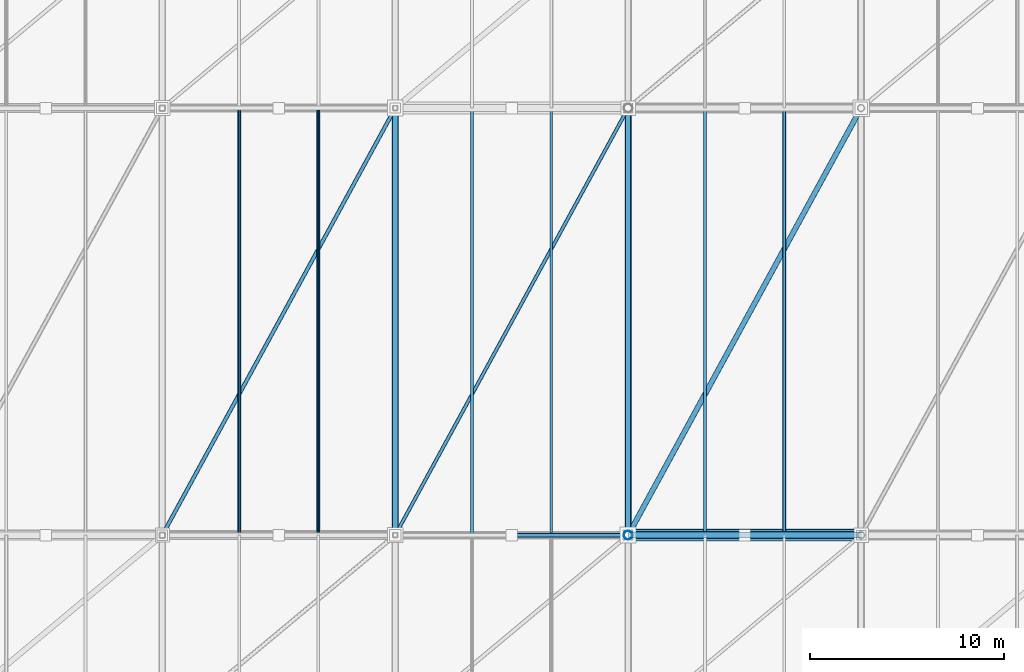
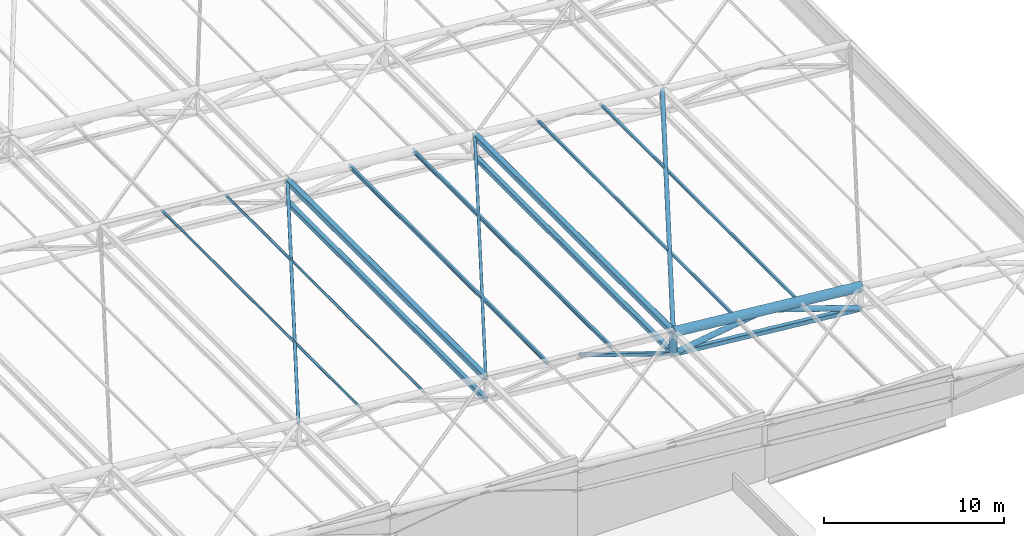
# One storey, part 19 of 44: 19 members.
"""IFC4 building model written with IfcOpenShell, lengths in metres."""

from ifc_helpers import new_model, si_unit, direction, frame, origin, origin_2d, place, context, subcontext, project, spatial, hollow_rectangle, hollow_circle, i_section, extrude, material, material_profile, profile_set, type_object, element, save


model = new_model("IFC4")

# Units and contexts
model_context = context("Model", 3, precision=1e-05, world=origin(), true_north=direction((0.0, 1.0)))
body_context = subcontext(model_context, "Body", "Model", "MODEL_VIEW")
ifc_project = project(units=[si_unit("LENGTHUNIT", "METRE"), si_unit("AREAUNIT", "SQUARE_METRE"), si_unit("VOLUMEUNIT", "CUBIC_METRE"), si_unit("PLANEANGLEUNIT", "RADIAN"), si_unit("MASSUNIT", "GRAM", prefix="KILO")], contexts=[model_context])

# Site, building, storey
site_placement = place(None, origin())
site = spatial("IfcSite", under=ifc_project, at=site_placement, CompositionType="ELEMENT")
building_placement = place(site_placement, origin())
building = spatial("IfcBuilding", under=site, at=building_placement, Name="Brinegate Civic Arena", CompositionType="ELEMENT")
storey_placement = place(building_placement, frame((0.0, 0.0, 29.39990234375)))
storey = spatial("IfcBuildingStorey", under=building, at=storey_placement, Name="RF", CompositionType="ELEMENT", Elevation=29.39990234375)

# Members
ifc_material = material(Name="Steel S355", Category="steel")
ifc_material_profile_1 = material_profile(ifc_material, hollow_circle(Radius=0.083984375, WallThickness=0.008056640625, at=origin_2d()), Name="CHS168X8")
ifc_profile_set_1 = profile_set([ifc_material_profile_1], Name="Steel S355")
member_type_1 = type_object("IfcMemberType", Name="RF-PURLIN-CHS168", PredefinedType="PURLIN", material=ifc_profile_set_1)
for number, where, z_axis, x_axis, name in (
    (1, (111.9599609375, 20.0, 5.710205078125), (0.0, 1.0, 0.0), (-1.0, 0.0, 0.0), "Roof Purlin RFP-029"),
    (2, (116.0400390625, 20.0, 5.3271484375), (0.0, 1.0, 0.0), (-1.0, 0.0, 0.0), "Roof Purlin RFP-030"),
):
    element("IfcMember", number, at=place(storey_placement, frame(where, z_axis=z_axis, x_axis=x_axis)), inside=storey, type_object=member_type_1, Name=name, PredefinedType="PURLIN", context=body_context, shape_type="SweptSolid", body=[
        extrude(hollow_circle(Radius=0.083984375, WallThickness=0.008056640625, at=origin_2d()), origin(), (0.0, 0.0, 1.0), 22.0),
    ])
ifc_material_profile_2 = material_profile(ifc_material, hollow_rectangle(XDim=0.159912109375, YDim=0.159912109375, WallThickness=0.008056640625, InnerFilletRadius=0.008056640625, OuterFilletRadius=0.01611328125, at=origin_2d()), Name="SHS160X8")
ifc_profile_set_2 = profile_set([ifc_material_profile_2], Name="Steel S355")
member_type_2 = type_object("IfcMemberType", Name="RF-PURLIN-SHS160", PredefinedType="PURLIN", material=ifc_profile_set_2)
for number, where, z_axis, x_axis, name in (
    (3, (135.9599609375, 20.0, 3.464111328125), (0.0, 1.0, 0.0), (-1.0, 0.0, 0.0), "Roof Purlin RFP-033"),
    (4, (140.0400390625, 20.0, 3.0810546875), (0.0, 1.0, 0.0), (-1.0, 0.0, 0.0), "Roof Purlin RFP-034"),
):
    element("IfcMember", number, at=place(storey_placement, frame(where, z_axis=z_axis, x_axis=x_axis)), inside=storey, type_object=member_type_2, Name=name, PredefinedType="PURLIN", context=body_context, shape_type="SweptSolid", body=[
        extrude(hollow_rectangle(XDim=0.159912109375, YDim=0.159912109375, WallThickness=0.008056640625, InnerFilletRadius=0.008056640625, OuterFilletRadius=0.01611328125, at=origin_2d()), origin(), (0.0, 0.0, 1.0), 22.0),
    ])
ifc_material_profile_3 = material_profile(ifc_material, i_section(OverallWidth=0.14794921875, OverallDepth=0.26611328125, WebThickness=0.008056640625, FlangeThickness=0.012939453125, FilletRadius=0.011962890625, at=origin_2d()), Name="W250X45")
ifc_profile_set_3 = profile_set([ifc_material_profile_3], Name="Steel S355")
member_type_3 = type_object("IfcMemberType", Name="RF-PURLIN-W250", PredefinedType="PURLIN", material=ifc_profile_set_3)
for number, where, z_axis, x_axis, name in (
    (5, (123.9599609375, 20.0, 4.5361328125), (0.0, 1.0, 0.0), (-1.0, 0.0, 0.0), "Roof Purlin RFP-031"),
    (6, (128.0400390625, 20.0, 4.153076171875), (0.0, 1.0, 0.0), (-1.0, 0.0, 0.0), "Roof Purlin RFP-032"),
):
    element("IfcMember", number, at=place(storey_placement, frame(where, z_axis=z_axis, x_axis=x_axis)), inside=storey, type_object=member_type_3, Name=name, PredefinedType="PURLIN", context=body_context, shape_type="SweptSolid", body=[
        extrude(i_section(OverallWidth=0.14794921875, OverallDepth=0.26611328125, WebThickness=0.008056640625, FlangeThickness=0.012939453125, FilletRadius=0.011962890625, at=origin_2d()), origin(), (0.0, 0.0, 1.0), 22.0),
    ])
ifc_material_profile_4 = material_profile(ifc_material, hollow_circle(Radius=0.136474609375, WallThickness=0.011962890625, at=origin_2d()), Name="CHS273X12")
ifc_profile_set_4 = profile_set([ifc_material_profile_4], Name="Steel S355")
member_type_4 = type_object("IfcMemberType", Name="SF-BRACE-CHS273", PredefinedType="BRACE", material=ifc_profile_set_4)
member_1_placement = place(storey_placement, frame((132.0, 20.0, 3.800048828125), z_axis=(0.478370337109, 0.877012284699, -0.044847219104), x_axis=(-0.877895572914, 0.478852130681, 0.0)))
element("IfcMember", 7, at=member_1_placement, inside=storey, type_object=member_type_4, Name="Roof Plan Diagonal Brace PL-2-8", PredefinedType="BRACE", context=body_context, shape_type="SweptSolid", body=[
    extrude(hollow_circle(Radius=0.136474609375, WallThickness=0.011962890625, at=origin_2d()), origin(), (0.0, 0.0, 1.0), 25.085205078125),
])
ifc_material_profile_5 = material_profile(ifc_material, hollow_circle(Radius=0.177978515625, WallThickness=0.013916015625, at=origin_2d()), Name="CHS356X14")
ifc_profile_set_5 = profile_set([ifc_material_profile_5], Name="Steel S355")
member_type_5 = type_object("IfcMemberType", Name="SF-BRACE-CHS356", PredefinedType="BRACE", material=ifc_profile_set_5)
member_2_placement = place(storey_placement, frame((132.0, 20.0, 2.35009765625), z_axis=(0.989226142737, 0.0, 0.1463954867), x_axis=(0.0, 1.0, 0.0)))
element("IfcMember", 8, at=member_2_placement, inside=storey, type_object=member_type_5, Name="Space Frame Web Brace D1-2-8", PredefinedType="BRACE", context=body_context, shape_type="SweptSolid", body=[
    extrude(hollow_circle(Radius=0.177978515625, WallThickness=0.013916015625, at=origin_2d()), origin(), (0.0, 0.0, 1.0), 6.0654296875),
])
member_3_placement = place(storey_placement, frame((138.0, 20.0, 3.238037109375), z_axis=(0.948068139281, 0.0, -0.318067293635), x_axis=(0.0, 1.0, 0.0)))
element("IfcMember", 9, at=member_3_placement, inside=storey, type_object=member_type_5, Name="Space Frame Web Brace D2-2-8", PredefinedType="BRACE", context=body_context, shape_type="SweptSolid", body=[
    extrude(hollow_circle(Radius=0.177978515625, WallThickness=0.013916015625, at=origin_2d()), origin(), (0.0, 0.0, 1.0), 6.32861328125),
])
ifc_material_profile_6 = material_profile(ifc_material, hollow_rectangle(XDim=0.179931640625, YDim=0.179931640625, WallThickness=0.010009765625, InnerFilletRadius=0.010009765625, OuterFilletRadius=0.02001953125, at=origin_2d()), Name="SHS180X10")
ifc_profile_set_6 = profile_set([ifc_material_profile_6], Name="Steel S355")
member_type_6 = type_object("IfcMemberType", Name="SF-BRACE-SHS180", PredefinedType="BRACE", material=ifc_profile_set_6)
member_4_placement = place(storey_placement, frame((120.0, 20.0, 4.925048828125), z_axis=(0.478370337109, 0.877012284699, -0.044847219104), x_axis=(-0.877895572914, 0.478852130681, 0.0)))
element("IfcMember", 10, at=member_4_placement, inside=storey, type_object=member_type_6, Name="Roof Plan Diagonal Brace PL-2-7", PredefinedType="BRACE", context=body_context, shape_type="SweptSolid", body=[
    extrude(hollow_rectangle(XDim=0.179931640625, YDim=0.179931640625, WallThickness=0.010009765625, InnerFilletRadius=0.010009765625, OuterFilletRadius=0.02001953125, at=origin_2d()), origin(), (0.0, 0.0, 1.0), 25.085205078125),
])
ifc_material_profile_7 = material_profile(ifc_material, hollow_rectangle(XDim=0.199951171875, YDim=0.199951171875, WallThickness=0.010009765625, InnerFilletRadius=0.010009765625, OuterFilletRadius=0.02001953125, at=origin_2d()), Name="SHS200X10")
ifc_profile_set_7 = profile_set([ifc_material_profile_7], Name="Steel S355")
member_type_7 = type_object("IfcMemberType", Name="SF-BRACE-SHS200", PredefinedType="BRACE", material=ifc_profile_set_7)
member_5_placement = place(storey_placement, frame((108.0, 20.0, 6.050048828125), z_axis=(0.478370337109, 0.877012284699, -0.044847219104), x_axis=(-0.877895572914, 0.478852130681, 0.0)))
element("IfcMember", 11, at=member_5_placement, inside=storey, type_object=member_type_7, Name="Roof Plan Diagonal Brace PL-2-6", PredefinedType="BRACE", context=body_context, shape_type="SweptSolid", body=[
    extrude(hollow_rectangle(XDim=0.199951171875, YDim=0.199951171875, WallThickness=0.010009765625, InnerFilletRadius=0.010009765625, OuterFilletRadius=0.02001953125, at=origin_2d()), origin(), (0.0, 0.0, 1.0), 25.085205078125),
])
ifc_material_profile_8 = material_profile(ifc_material, hollow_rectangle(XDim=0.219970703125, YDim=0.219970703125, WallThickness=0.011962890625, InnerFilletRadius=0.011962890625, OuterFilletRadius=0.02392578125, at=origin_2d()), Name="SHS220X12")
ifc_profile_set_8 = profile_set([ifc_material_profile_8], Name="Steel S355")
member_type_8 = type_object("IfcMemberType", Name="SF-BRACE-SHS220", PredefinedType="BRACE", material=ifc_profile_set_8)
member_6_placement = place(storey_placement, frame((126.0, 20.0, 4.363037109375), z_axis=(0.948068139281, 0.0, -0.318067293635), x_axis=(0.0, 1.0, 0.0)))
element("IfcMember", 12, at=member_6_placement, inside=storey, type_object=member_type_8, Name="Space Frame Web Brace D2-2-7", PredefinedType="BRACE", context=body_context, shape_type="SweptSolid", body=[
    extrude(hollow_rectangle(XDim=0.219970703125, YDim=0.219970703125, WallThickness=0.011962890625, InnerFilletRadius=0.011962890625, OuterFilletRadius=0.02392578125, at=origin_2d()), origin(), (0.0, 0.0, 1.0), 6.32861328125),
])
ifc_material_profile_9 = material_profile(ifc_material, hollow_circle(Radius=0.304931640625, WallThickness=0.02490234375, at=origin_2d()), Name="CHS610X25")
ifc_profile_set_9 = profile_set([ifc_material_profile_9], Name="Steel S355")
member_type_9 = type_object("IfcMemberType", Name="SF-CHORD-CHS610", PredefinedType="CHORD", material=ifc_profile_set_9)
member_7_placement = place(storey_placement, frame((132.0, 20.0, 3.800048828125), z_axis=(0.995634226059, 0.0, -0.093340708693), x_axis=(0.0, 1.0, 0.0)))
element("IfcMember", 13, at=member_7_placement, inside=storey, type_object=member_type_9, Name="Space Frame Top Chord TX-2-8", PredefinedType="CHORD", context=body_context, shape_type="SweptSolid", body=[
    extrude(hollow_circle(Radius=0.304931640625, WallThickness=0.02490234375, at=origin_2d()), origin(), (0.0, 0.0, 1.0), 12.052734375),
])
ifc_material_profile_10 = material_profile(ifc_material, hollow_rectangle(XDim=0.300048828125, YDim=0.300048828125, WallThickness=0.01611328125, InnerFilletRadius=0.01611328125, OuterFilletRadius=0.031982421875, at=origin_2d()), Name="SHS300X16")
ifc_profile_set_10 = profile_set([ifc_material_profile_10], Name="Steel S355")
member_type_10 = type_object("IfcMemberType", Name="SF-CHORD-SHS300", PredefinedType="CHORD", material=ifc_profile_set_10)
member_8_placement = place(storey_placement, frame((132.0, 20.0, 2.35009765625), z_axis=(0.995634226059, 0.0, -0.093340708693), x_axis=(0.0, 1.0, 0.0)))
element("IfcMember", 14, at=member_8_placement, inside=storey, type_object=member_type_10, Name="Space Frame Bottom Chord BX-2-8", PredefinedType="CHORD", context=body_context, shape_type="SweptSolid", body=[
    extrude(hollow_rectangle(XDim=0.300048828125, YDim=0.300048828125, WallThickness=0.01611328125, InnerFilletRadius=0.01611328125, OuterFilletRadius=0.031982421875, at=origin_2d()), origin(), (0.0, 0.0, 1.0), 12.052734375),
])
for number, where, z_axis, x_axis, name in (
    (15, (120.0, 20.0, 3.47509765625), (0.0, 1.0, 0.0), (-1.0, 0.0, 0.0), "Space Frame Cross Bottom Chord BY-2-7"),
    (16, (132.0, 20.0, 2.35009765625), (0.0, 1.0, 0.0), (-1.0, 0.0, 0.0), "Space Frame Cross Bottom Chord BY-2-8"),
):
    element("IfcMember", number, at=place(storey_placement, frame(where, z_axis=z_axis, x_axis=x_axis)), inside=storey, type_object=member_type_10, Name=name, PredefinedType="CHORD", context=body_context, shape_type="SweptSolid", body=[
        extrude(hollow_rectangle(XDim=0.300048828125, YDim=0.300048828125, WallThickness=0.01611328125, InnerFilletRadius=0.01611328125, OuterFilletRadius=0.031982421875, at=origin_2d()), origin(), (0.0, 0.0, 1.0), 22.0),
    ])
ifc_material_profile_11 = material_profile(ifc_material, hollow_rectangle(XDim=0.35009765625, YDim=0.35009765625, WallThickness=0.01611328125, InnerFilletRadius=0.01611328125, OuterFilletRadius=0.031982421875, at=origin_2d()), Name="SHS350X16")
ifc_profile_set_11 = profile_set([ifc_material_profile_11], Name="Steel S355")
member_type_11 = type_object("IfcMemberType", Name="SF-CHORD-SHS350", PredefinedType="CHORD", material=ifc_profile_set_11)
for number, where, z_axis, x_axis, name in (
    (17, (120.0, 20.0, 4.925048828125), (0.0, 1.0, 0.0), (-1.0, 0.0, 0.0), "Space Frame Cross Top Chord TY-2-7"),
    (18, (132.0, 20.0, 3.800048828125), (0.0, 1.0, 0.0), (-1.0, 0.0, 0.0), "Space Frame Cross Top Chord TY-2-8"),
):
    element("IfcMember", number, at=place(storey_placement, frame(where, z_axis=z_axis, x_axis=x_axis)), inside=storey, type_object=member_type_11, Name=name, PredefinedType="CHORD", context=body_context, shape_type="SweptSolid", body=[
        extrude(hollow_rectangle(XDim=0.35009765625, YDim=0.35009765625, WallThickness=0.01611328125, InnerFilletRadius=0.01611328125, OuterFilletRadius=0.031982421875, at=origin_2d()), origin(), (0.0, 0.0, 1.0), 22.0),
    ])
ifc_material_profile_12 = material_profile(ifc_material, hollow_circle(Radius=0.228515625, WallThickness=0.01611328125, at=origin_2d()), Name="CHS457X16")
ifc_profile_set_12 = profile_set([ifc_material_profile_12], Name="Steel S355")
member_type_12 = type_object("IfcMemberType", Name="SF-STRUT-CHS457", PredefinedType="STRUT", material=ifc_profile_set_12)
member_9_placement = place(storey_placement, frame((132.0, 20.0, 2.35009765625), z_axis=(0.0, 0.0, 1.0), x_axis=(1.0, 0.0, 0.0)))
element("IfcMember", 19, at=member_9_placement, inside=storey, type_object=member_type_12, Name="Space Frame Vertical Post V-2-8", PredefinedType="STRUT", context=body_context, shape_type="SweptSolid", body=[
    extrude(hollow_circle(Radius=0.228515625, WallThickness=0.01611328125, at=origin_2d()), origin(), (0.0, 0.0, 1.0), 1.449951171875),
])

save(model, "model.ifc")
